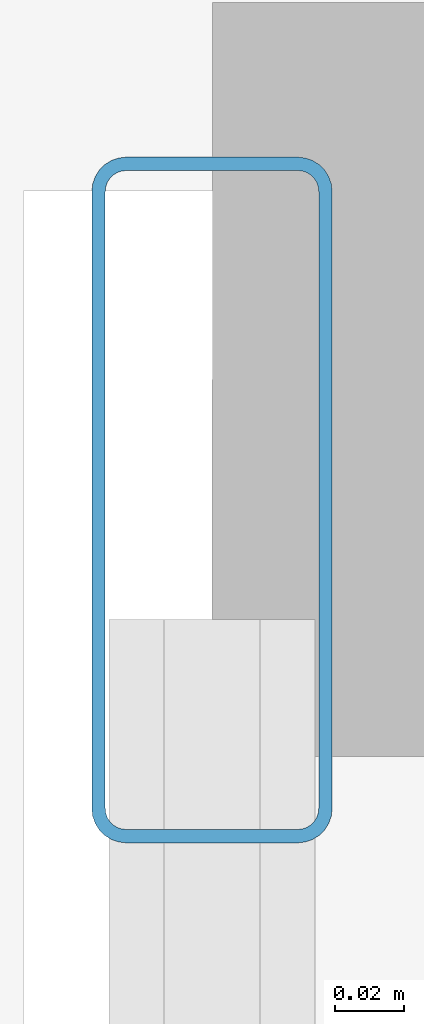
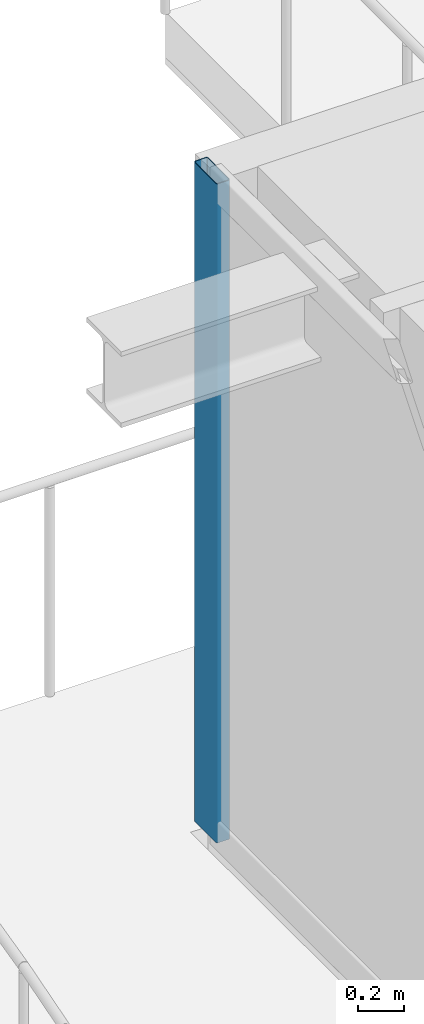
# One storey, part 18 of 41: 1 member, 1 element without a shape of its own.
"""IFC4 building model written with IfcOpenShell, lengths in metres."""

import ifcopenshell
import ifcopenshell.guid

model = None  # the IFC model being written
_history = None  # IfcOwnerHistory: only IFC2X3 demands one
_inside = {}  # id of a spatial element -> (the spatial element, [elements in it])
_under = {}  # id of a project, library or spatial element -> (it, [spatial elements below it])
_declared = {}  # id of a project -> (the project, [libraries it declares])
_typed = {}  # id of a type object -> (the type object, [elements of that type])
_made_of = {}  # id of a material, layer set ... -> (it, [elements and type objects made of it])


def new_model(schema):
    """Start an empty IFC model of exactly this schema.

    Asked for "IFC4X3", IfcOpenShell would pick the latest addendum, in which some entities
    have other attributes; the version numbers below select the first issue.
    IFC2X3 requires an IfcOwnerHistory on every rooted entity: one is made here for all.
    """
    global model, _history
    if schema == "IFC4X3":
        model = ifcopenshell.file(schema_version=(4, 3, 0, 0))
    else:
        model = ifcopenshell.file(schema=schema)
    _inside.clear()
    _under.clear()
    _declared.clear()
    _typed.clear()
    _made_of.clear()
    _history = None
    if model.schema == "IFC2X3":
        org = make("IfcOrganization", Name="unknown")
        user = make(
            "IfcPersonAndOrganization",
            ThePerson=make("IfcPerson", FamilyName="unknown"),
            TheOrganization=org,
        )
        app = make(
            "IfcApplication",
            ApplicationDeveloper=org,
            Version="unknown",
            ApplicationFullName="unknown",
            ApplicationIdentifier="unknown",
        )
        _history = make(
            "IfcOwnerHistory",
            OwningUser=user,
            OwningApplication=app,
            ChangeAction="ADDED",
            CreationDate=0,
        )
    return model


def make(cls, **values):
    """One entity of the class cls with the attributes given. An attribute that is None is left unset."""
    return model.create_entity(
        cls, **{name: value for name, value in values.items() if value is not None}
    )


def rooted(cls, **values):
    """An entity with a GlobalId (a new one), such as an element, a storey or a relation."""
    return make(cls, GlobalId=ifcopenshell.guid.new(), OwnerHistory=_history, **values)


def si_unit(unit_type, name, prefix=None):
    """IfcSIUnit, for example si_unit("LENGTHUNIT", "METRE", prefix="MILLI")."""
    return make("IfcSIUnit", UnitType=unit_type, Prefix=prefix, Name=name)


def assignment(units):
    """IfcUnitAssignment: the units of a project."""
    return None if units is None else make("IfcUnitAssignment", Units=units)


def point(xyz):
    """IfcCartesianPoint."""
    return None if xyz is None else make("IfcCartesianPoint", Coordinates=xyz)


def direction(xyz):
    """IfcDirection."""
    return None if xyz is None else make("IfcDirection", DirectionRatios=xyz)


def frame(location, z_axis=None, x_axis=None):
    """IfcAxis2Placement3D, a coordinate frame: its origin and axes. An axis left out is left unset."""
    return make(
        "IfcAxis2Placement3D",
        Location=point(location),
        Axis=direction(z_axis),
        RefDirection=direction(x_axis),
    )


def frame_2d(location, x_axis=None):
    """IfcAxis2Placement2D, a coordinate frame in the plane: its origin and x axis."""
    return make(
        "IfcAxis2Placement2D", Location=point(location), RefDirection=direction(x_axis)
    )


def origin():
    """The frame at (0, 0, 0) with its axes left unset."""
    return frame((0.0, 0.0, 0.0))


def origin_2d():
    """The frame at (0, 0) in the plane with its x axis left unset."""
    return frame_2d((0.0, 0.0))


def place(relative_to, where):
    """IfcLocalPlacement: puts the frame where relative to a parent placement (None: the world)."""
    return make(
        "IfcLocalPlacement", PlacementRelTo=relative_to, RelativePlacement=where
    )


def context(
    kind, dimensions, precision=None, world=None, true_north=None, identifier=None
):
    """IfcGeometricRepresentationContext, for example the 3D "Model" context."""
    return make(
        "IfcGeometricRepresentationContext",
        ContextIdentifier=identifier,
        ContextType=kind,
        CoordinateSpaceDimension=dimensions,
        Precision=precision,
        WorldCoordinateSystem=world,
        TrueNorth=true_north,
    )


def subcontext(parent, identifier, kind, view, scale=None):
    """IfcGeometricRepresentationSubContext, for example "Body" below "Model"."""
    return make(
        "IfcGeometricRepresentationSubContext",
        ContextIdentifier=identifier,
        ContextType=kind,
        ParentContext=parent,
        TargetScale=scale,
        TargetView=view,
    )


def project(units=None, contexts=None):
    """IfcProject with its units and contexts."""
    return rooted(
        "IfcProject",
        Name="project",
        RepresentationContexts=contexts,
        UnitsInContext=assignment(units),
    )


def spatial(cls, under=None, at=None, **own):
    """A site, building, storey or space (cls), placed at a placement, below another one or the project."""
    s = rooted(cls, ObjectPlacement=at, **own)
    if under is not None:
        _under.setdefault(under.id(), (under, []))[1].append(s)
    return s


def profile(cls, at=None, kind="AREA", **sizes):
    """A parametric profile (cls). Its sizes go by their IFC names, for example OverallWidth=200.0."""
    return make(cls, ProfileType=kind, Position=at, **sizes)


def hollow_rectangle(**sizes):
    """IfcRectangleHollowProfileDef."""
    return profile("IfcRectangleHollowProfileDef", **sizes)


def extrude(swept, where, along, depth):
    """IfcExtrudedAreaSolid: the profile swept, set in the frame where, extruded along a direction by depth."""
    return make(
        "IfcExtrudedAreaSolid",
        SweptArea=swept,
        Position=where,
        ExtrudedDirection=direction(along),
        Depth=depth,
    )


def shape(context_of_items, identifier, shape_type, items):
    """IfcShapeRepresentation: the items that make up one representation, for example the "Body"."""
    return make(
        "IfcShapeRepresentation",
        ContextOfItems=context_of_items,
        RepresentationIdentifier=identifier,
        RepresentationType=shape_type,
        Items=items,
    )


def source(mapping_origin, context_of_items, identifier, shape_type, items):
    """IfcRepresentationMap: a shape defined once, which mapped items show again and again."""
    return make(
        "IfcRepresentationMap",
        MappingOrigin=mapping_origin,
        MappedRepresentation=shape(context_of_items, identifier, shape_type, items),
    )


def transform(
    local_origin,
    x_axis=None,
    y_axis=None,
    z_axis=None,
    scale=None,
    scale2=None,
    scale3=None,
    uniform=True,
):
    """IfcCartesianTransformationOperator3D, or its non-uniform kind. x_axis, y_axis, z_axis: its Axis1, 2, 3."""
    if uniform:
        return make(
            "IfcCartesianTransformationOperator3D",
            Axis1=direction(x_axis),
            Axis2=direction(y_axis),
            LocalOrigin=point(local_origin),
            Scale=scale,
            Axis3=direction(z_axis),
        )
    return make(
        "IfcCartesianTransformationOperator3DnonUniform",
        Axis1=direction(x_axis),
        Axis2=direction(y_axis),
        LocalOrigin=point(local_origin),
        Scale=scale,
        Axis3=direction(z_axis),
        Scale2=scale2,
        Scale3=scale3,
    )


def mapped(mapping_source, mapping_target):
    """IfcMappedItem: shows the shape of a source again, moved by a transform."""
    return make(
        "IfcMappedItem", MappingSource=mapping_source, MappingTarget=mapping_target
    )


def material(Name=None, Category=None):
    """IfcMaterial."""
    return make("IfcMaterial", Name=Name, Category=Category)


def layer(
    of_material, thickness, ventilated=None, Name=None, Category=None, Priority=None
):
    """IfcMaterialLayer: one layer of a wall or slab, of a material (None: an air gap)."""
    return make(
        "IfcMaterialLayer",
        Material=of_material,
        LayerThickness=thickness,
        IsVentilated=ventilated,
        Name=Name,
        Category=Category,
        Priority=Priority,
    )


def layer_set(layers, Name=None):
    """IfcMaterialLayerSet."""
    return make("IfcMaterialLayerSet", MaterialLayers=layers, LayerSetName=Name)


def material_profile(
    of_material, cross_section, Name=None, Category=None, Priority=None
):
    """IfcMaterialProfile: a cross section and its material."""
    return make(
        "IfcMaterialProfile",
        Name=Name,
        Material=of_material,
        Profile=cross_section,
        Priority=Priority,
        Category=Category,
    )


def profile_set(profiles, Name=None, composite=None):
    """IfcMaterialProfileSet."""
    return make(
        "IfcMaterialProfileSet",
        Name=Name,
        MaterialProfiles=profiles,
        CompositeProfile=composite,
    )


def made_of(thing, what):
    """Note that an element or type object is made of a material, layer set ...; save() writes the relation."""
    if what is not None:
        _made_of.setdefault(what.id(), (what, []))[1].append(thing)
    return thing


def type_object(cls, material=None, **own):
    """A type object (cls), such as IfcWallType, which elements share."""
    return made_of(rooted(cls, **own), material)


def element(
    cls,
    number,
    at=None,
    inside=None,
    cuts=None,
    type_object=None,
    material=None,
    context=None,
    identifier="Body",
    shape_type=None,
    held_by="IfcProductDefinitionShape",
    body=None,
    shapes=None,
    **own,
):
    """One element of the class cls, such as IfcWall. Its Tag is "e" and its number.

    at: its placement. inside: the storey or other place that contains it. cuts: it is an
    opening in that element (IfcRelVoidsElement). A single representation is given by context,
    identifier, shape_type and body (its items); several are given by shapes. held_by: the class
    of the entity that holds the representations. save() writes the other relations.
    """
    e = rooted(cls, Tag="e%d" % number, ObjectPlacement=at, **own)
    if body is not None:
        shapes = [shape(context, identifier, shape_type, body)]
    if shapes is not None:
        e.Representation = make(held_by, Representations=shapes)
    if inside is not None:
        _inside.setdefault(inside.id(), (inside, []))[1].append(e)
    if cuts is not None:
        rooted(
            "IfcRelVoidsElement", RelatingBuildingElement=cuts, RelatedOpeningElement=e
        )
    if type_object is not None:
        _typed.setdefault(type_object.id(), (type_object, []))[1].append(e)
    return made_of(e, material)


def aggregate(whole, parts):
    """IfcRelAggregates: a whole, such as a stair, and the parts it consists of."""
    return rooted("IfcRelAggregates", RelatingObject=whole, RelatedObjects=parts)


def save(model, path):
    """Write the relations noted so far, then the file.

    IfcRelAggregates (storeys below a building ...), IfcRelContainedInSpatialStructure (elements
    in a storey), IfcRelDefinesByType, IfcRelAssociatesMaterial and IfcRelDeclares: one each for
    every whole, place, type object, material and project.
    """
    for whole, parts in _under.values():
        aggregate(whole, parts)
    for where, things in _inside.values():
        rooted(
            "IfcRelContainedInSpatialStructure",
            RelatedElements=things,
            RelatingStructure=where,
        )
    for kind, things in _typed.values():
        rooted("IfcRelDefinesByType", RelatedObjects=things, RelatingType=kind)
    for what, things in _made_of.values():
        rooted("IfcRelAssociatesMaterial", RelatedObjects=things, RelatingMaterial=what)
    for by, libraries in _declared.values():
        rooted("IfcRelDeclares", RelatingContext=by, RelatedDefinitions=libraries)
    model.write(path)


model = new_model("IFC4")

# Units and contexts
model_context = context("Model", 3, precision=1e-05, world=origin(), true_north=direction((0.0, 1.0)))
body_context = subcontext(model_context, "Body", "Model", "MODEL_VIEW")
ifc_project = project(units=[si_unit("LENGTHUNIT", "METRE"), si_unit("AREAUNIT", "SQUARE_METRE"), si_unit("VOLUMEUNIT", "CUBIC_METRE"), si_unit("PLANEANGLEUNIT", "RADIAN"), si_unit("MASSUNIT", "GRAM", prefix="KILO")], contexts=[model_context])

# Site, building, storey
site_placement = place(None, origin())
site = spatial("IfcSite", under=ifc_project, at=site_placement, CompositionType="ELEMENT")
building_placement = place(site_placement, origin())
building = spatial("IfcBuilding", under=site, at=building_placement, Name="Serunith Strait Residences", CompositionType="ELEMENT")
storey_placement = place(building_placement, frame((0.0, 0.0, 45.449951171875)))
storey = spatial("IfcBuildingStorey", under=building, at=storey_placement, Name="L10", CompositionType="ELEMENT", Elevation=45.449951171875)

# Curtain wall, member
ifc_material = material(Name="Pale-Champagne Anodised Aluminium", Category="aluminium")
ifc_layer = layer(ifc_material, 0.199951171875, Name="Pale-Champagne Anodised Aluminium")
ifc_layer_set = layer_set([ifc_layer], Name="Pale-Champagne Anodised Aluminium")
curtain_wall_type = type_object("IfcCurtainWallType", Name="CW-SYS1", PredefinedType="NOTDEFINED", material=ifc_layer_set)
curtain_wall_placement = place(storey_placement, origin())
curtain_wall = element("IfcCurtainWall", 1, at=curtain_wall_placement, inside=storey, type_object=curtain_wall_type, Name="L10 W Unitised Fritted Curtain Wall", PredefinedType="NOTDEFINED")
ifc_material_profile = material_profile(ifc_material, hollow_rectangle(XDim=0.070068359375, YDim=0.199951171875, WallThickness=0.00390625, InnerFilletRadius=0.006103515625, OuterFilletRadius=0.010009765625, at=origin_2d()), Name="ALU 200x70x4")
ifc_profile_set = profile_set([ifc_material_profile], Name="Pale-Champagne Anodised Aluminium")
member_type = type_object("IfcMemberType", Name="CW-SYS1-MULL", PredefinedType="MULLION", material=ifc_profile_set)
shared_shape = source(origin(), body_context, "Body", "SweptSolid", [
    extrude(hollow_rectangle(XDim=0.070068359375, YDim=0.199951171875, WallThickness=0.00390625, InnerFilletRadius=0.006103515625, OuterFilletRadius=0.010009765625, at=origin_2d()), origin(), (0.0, 0.0, 1.0), 3.47509765625),
])
member_placement = place(storey_placement, frame((6.0, 41.764892578125, 0.0), z_axis=(0.0, 0.0, 1.0), x_axis=(1.0, 0.0, 0.0)))
member = element("IfcMember", 2, at=member_placement, type_object=member_type, Name="CW-1 mullion 1", PredefinedType="MULLION", context=body_context, shape_type="MappedRepresentation", body=[
    mapped(shared_shape, transform((0.0, 0.0, 0.0), scale=1.0)),
])
aggregate(curtain_wall, [member])

save(model, "model.ifc")
